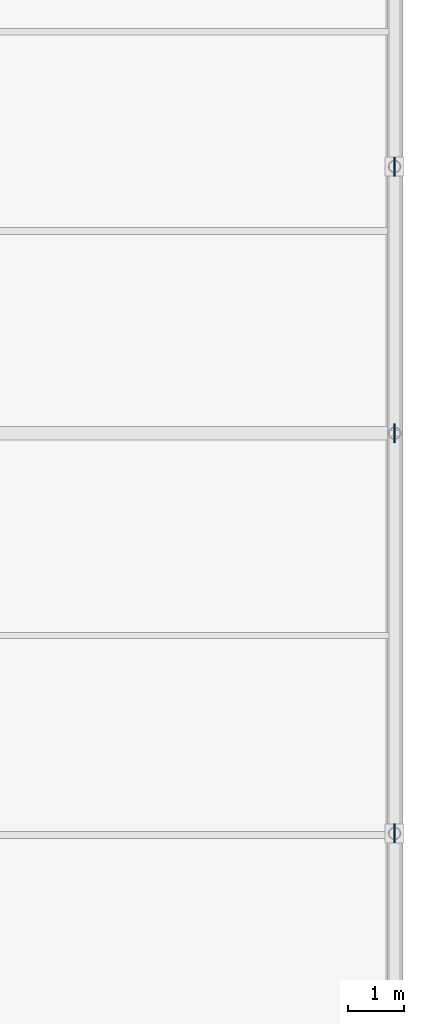
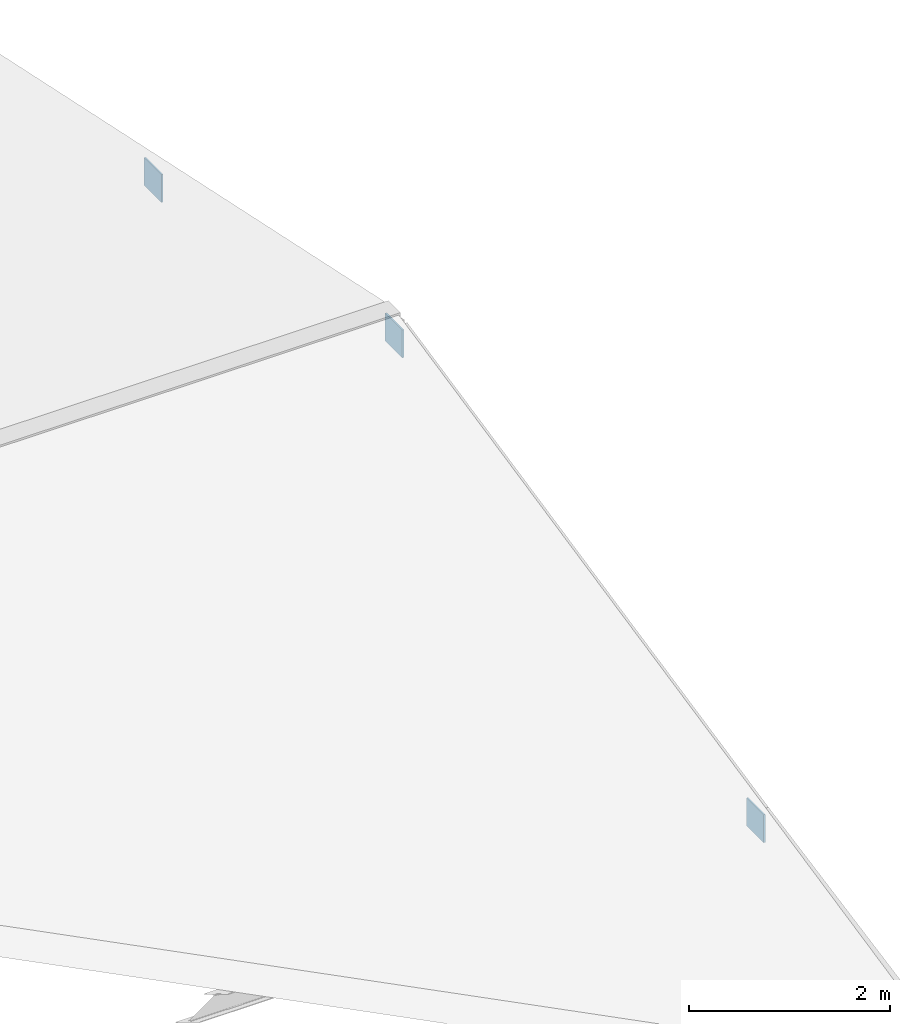
# One storey, part 45 of 61: 3 plates.
"""IFC4 building model written with IfcOpenShell, lengths in metres."""

from ifc_helpers import new_model, si_unit, direction, frame, origin, origin_2d, place, context, subcontext, project, spatial, rectangle, extrude, material, layer, layer_set, type_object, element, save


model = new_model("IFC4")

# Units and contexts
model_context = context("Model", 3, precision=1e-05, world=origin(), true_north=direction((0.0, 1.0)))
body_context = subcontext(model_context, "Body", "Model", "MODEL_VIEW")
ifc_project = project(units=[si_unit("LENGTHUNIT", "METRE"), si_unit("AREAUNIT", "SQUARE_METRE"), si_unit("VOLUMEUNIT", "CUBIC_METRE"), si_unit("PLANEANGLEUNIT", "RADIAN"), si_unit("MASSUNIT", "GRAM", prefix="KILO")], contexts=[model_context])

# Site, building, storey
site_placement = place(None, origin())
site = spatial("IfcSite", under=ifc_project, at=site_placement, CompositionType="ELEMENT")
building_placement = place(site_placement, origin())
building = spatial("IfcBuilding", under=site, at=building_placement, Name="Fikremerkos Civic Library", CompositionType="ELEMENT")
storey_placement = place(building_placement, frame((0.0, 0.0, 14.39990234375)))
storey = spatial("IfcBuildingStorey", under=building, at=storey_placement, Name="L03", CompositionType="ELEMENT", Elevation=14.39990234375)

# Plates
ifc_material = material(Name="Steel S355", Category="steel")
ifc_layer = layer(ifc_material, 0.02001953125, Name="Steel S355")
ifc_layer_set = layer_set([ifc_layer], Name="Steel S355")
plate_type = type_object("IfcPlateType", Name="Steel gusset cap plate GSP-03 340x340x20", PredefinedType="USERDEFINED", material=ifc_layer_set)
for number, where, z_axis, x_axis, name in (
    (1, (160.0, 19.199951171875, 1.220703125), (0.0, 0.0, 1.0), (1.0, 0.0, 0.0), "Steel gusset cap plate GSP-03 #53"),
    (2, (160.0, 26.39990234375, 2.7509765625), (0.0, 0.0, 1.0), (1.0, 0.0, 0.0), "Steel gusset cap plate GSP-03 #54"),
    (3, (160.0, 31.199951171875, 1.73046875), (0.0, 0.0, 1.0), (1.0, 0.0, 0.0), "Steel gusset cap plate GSP-03 #55"),
):
    element("IfcPlate", number, at=place(storey_placement, frame(where, z_axis=z_axis, x_axis=x_axis)), inside=storey, type_object=plate_type, Name=name, ObjectType="GUSSET PLATE", PredefinedType="USERDEFINED", context=body_context, shape_type="SweptSolid", body=[
        extrude(rectangle(XDim=0.02001953125, YDim=0.340087890625, at=origin_2d()), origin(), (0.0, 0.0, 1.0), 0.340087890625),
    ])

save(model, "model.ifc")
